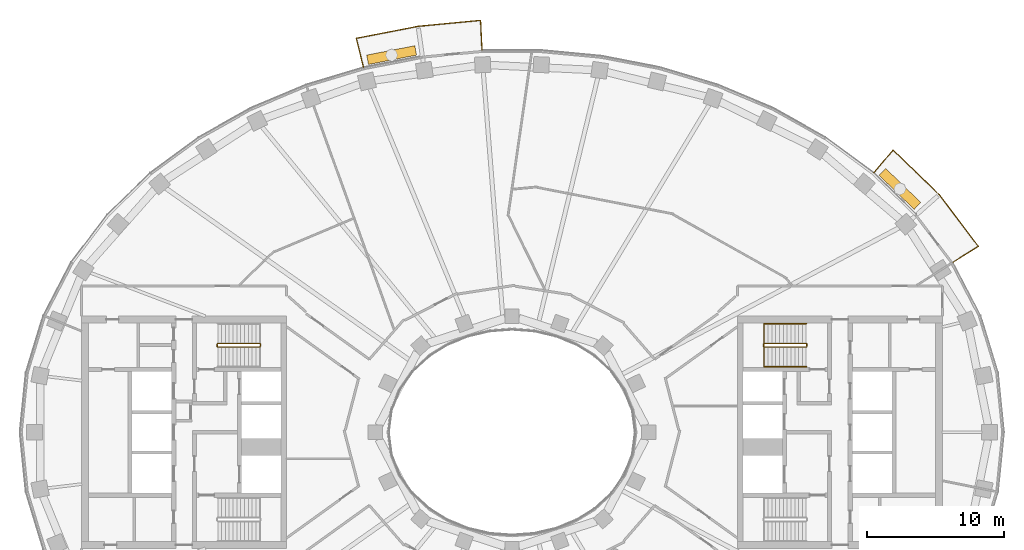
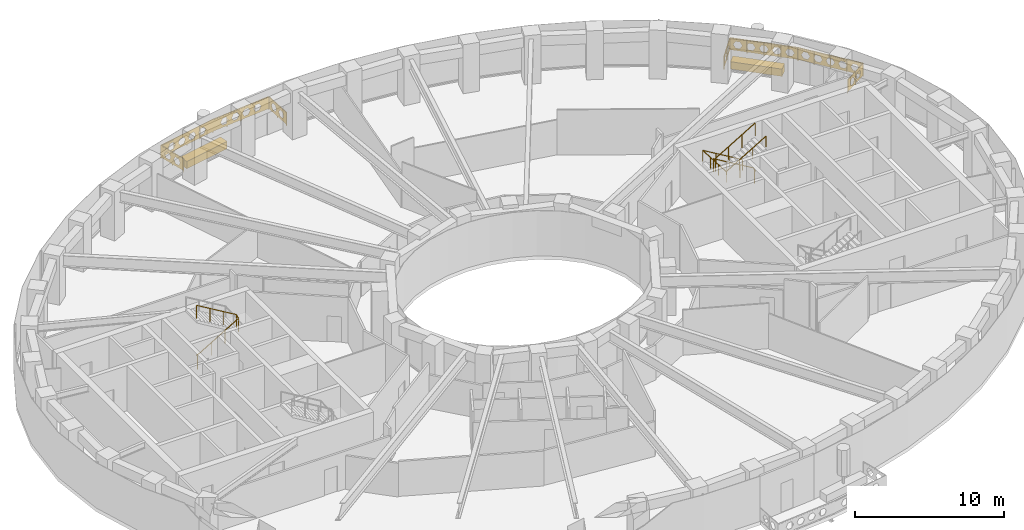
# One storey, part 15 of 16: 5 railings, 2 coverings.
"""IFC4 building model written with IfcOpenShell, lengths in metres."""

from ifc_helpers import new_model, si_unit, direction, frame, origin, origin_2d, place, context, subcontext, project, spatial, polyline, rectangle, outline, extrude, material, type_object, element, save


model = new_model("IFC4")

# Units and contexts
model_context = context("Model", 3, precision=1e-05, world=origin(), true_north=direction((0.0, 1.0)))
body_context = subcontext(model_context, "Body", "Model", "MODEL_VIEW")
ifc_project = project(units=[si_unit("LENGTHUNIT", "METRE"), si_unit("AREAUNIT", "SQUARE_METRE"), si_unit("VOLUMEUNIT", "CUBIC_METRE"), si_unit("PLANEANGLEUNIT", "RADIAN"), si_unit("MASSUNIT", "GRAM", prefix="KILO")], contexts=[model_context])

# Site, building, storey
site_placement = place(None, origin())
site = spatial("IfcSite", under=ifc_project, at=site_placement, CompositionType="ELEMENT")
building_placement = place(site_placement, origin())
building = spatial("IfcBuilding", under=site, at=building_placement, Name="Noorbagh Ring Tower", CompositionType="ELEMENT")
storey_placement = place(building_placement, frame((0.0, 0.0, 174.0)))
storey = spatial("IfcBuildingStorey", under=building, at=storey_placement, Name="L40", CompositionType="ELEMENT", Elevation=174.0)

# Railings
ifc_material_1 = material(Name="Stainless steel", Category="steel")
railing_type_1 = type_object("IfcRailingType", Name="CORE-STAIR-GUARD", PredefinedType="GUARDRAIL", material=ifc_material_1)
railing_1_placement = place(storey_placement, frame((-21.580078125, 6.300048828125, 0.0)))
element("IfcRailing", 1, at=railing_1_placement, inside=storey, type_object=railing_type_1, Name="L40 ST1 stair guard", PredefinedType="GUARDRAIL", context=body_context, shape_type="SweptSolid", body=[
    extrude(rectangle(XDim=0.048095703125, YDim=0.048095703125, at=origin_2d()), frame((0.0, 0.0, 1.076171875), z_axis=(0.0, 1.0, 0.0), x_axis=(-1.0, 0.0, 0.0)), (0.0, 0.0, 1.0), 0.14990234375),
    extrude(rectangle(XDim=0.048095703125, YDim=0.048095703125, at=origin_2d()), frame((0.0, 0.14990234375, 1.076171875), z_axis=(0.188775798145, -0.754182335027, 0.628945707965), x_axis=(0.970072785993, 0.242814311512, 0.0)), (0.0, 0.0, 1.0), 0.26513671875),
    extrude(rectangle(XDim=0.048095703125, YDim=0.048095703125, at=origin_2d()), frame((0.050048828125, -0.050048828125, 1.24267578125), z_axis=(0.859308565015, 0.0, 0.511457515432), x_axis=(0.0, 1.0, 0.0)), (0.0, 0.0, 1.0), 3.58447265625),
    extrude(rectangle(XDim=0.048095703125, YDim=0.048095703125, at=origin_2d()), frame((3.130126953125, -0.050048828125, 3.076171875), z_axis=(0.707106781187, 0.707106781187, 0.0), x_axis=(-0.707106781187, 0.707106781187, 0.0)), (0.0, 0.0, 1.0), 0.07080078125),
    extrude(rectangle(XDim=0.048095703125, YDim=0.048095703125, at=origin_2d()), frame((3.18017578125, 0.0, 3.076171875), z_axis=(0.0, 1.0, 0.0), x_axis=(-1.0, 0.0, 0.0)), (0.0, 0.0, 1.0), 0.14990234375),
    extrude(rectangle(XDim=0.048095703125, YDim=0.048095703125, at=origin_2d()), frame((3.18017578125, 0.14990234375, 3.076171875), z_axis=(-0.27628659633, 0.27628659633, 0.920506074601), x_axis=(-0.707106781187, -0.707106781187, 0.0)), (0.0, 0.0, 1.0), 0.18115234375),
    extrude(rectangle(XDim=0.048095703125, YDim=0.048095703125, at=origin_2d()), frame((3.130126953125, 0.199951171875, 3.24267578125), z_axis=(-0.859308565015, 0.0, 0.511457515432), x_axis=(0.0, -1.0, 0.0)), (0.0, 0.0, 1.0), 3.58447265625),
    extrude(rectangle(XDim=0.0419921875, YDim=0.0419921875, at=origin_2d()), origin(), (0.0, 0.0, 1.0), 1.052001953125),
    extrude(rectangle(XDim=0.0419921875, YDim=0.0419921875, at=origin_2d()), frame((1.07666015625, -0.050048828125, 0.77783203125)), (0.0, 0.0, 1.0), 1.052001953125),
    extrude(rectangle(XDim=0.0419921875, YDim=0.0419921875, at=origin_2d()), frame((2.103515625, -0.050048828125, 1.388916015625)), (0.0, 0.0, 1.0), 1.052001953125),
    extrude(rectangle(XDim=0.0419921875, YDim=0.0419921875, at=origin_2d()), frame((3.130126953125, -0.050048828125, 2.0)), (0.0, 0.0, 1.0), 1.052001953125),
    extrude(rectangle(XDim=0.0419921875, YDim=0.0419921875, at=origin_2d()), frame((3.130126953125, 0.199951171875, 2.166748046875)), (0.0, 0.0, 1.0), 1.052001953125),
    extrude(rectangle(XDim=0.0419921875, YDim=0.0419921875, at=origin_2d()), frame((2.103515625, 0.199951171875, 2.77783203125)), (0.0, 0.0, 1.0), 1.052001953125),
    extrude(rectangle(XDim=0.0419921875, YDim=0.0419921875, at=origin_2d()), frame((1.07666015625, 0.199951171875, 3.388916015625)), (0.0, 0.0, 1.0), 1.052001953125),
    extrude(rectangle(XDim=0.0419921875, YDim=0.0419921875, at=origin_2d()), frame((0.050048828125, 0.199951171875, 4.0)), (0.0, 0.0, 1.0), 1.052001953125),
])
railing_2_placement = place(storey_placement, frame((21.580078125, 6.449951171875, 0.0)))
element("IfcRailing", 2, at=railing_2_placement, inside=storey, type_object=railing_type_1, Name="L40 ST3 stair guard", PredefinedType="GUARDRAIL", context=body_context, shape_type="SweptSolid", body=[
    extrude(rectangle(XDim=0.048095703125, YDim=0.048095703125, at=origin_2d()), frame((0.0, 0.0, 1.076171875), z_axis=(0.0, -1.0, 0.0), x_axis=(1.0, 0.0, 0.0)), (0.0, 0.0, 1.0), 0.14990234375),
    extrude(rectangle(XDim=0.048095703125, YDim=0.048095703125, at=origin_2d()), frame((0.0, -0.14990234375, 1.076171875), z_axis=(-0.188775798145, 0.754182335027, 0.628945707965), x_axis=(-0.970072785993, -0.242814311512, 0.0)), (0.0, 0.0, 1.0), 0.26513671875),
    extrude(rectangle(XDim=0.048095703125, YDim=0.048095703125, at=origin_2d()), frame((-0.050048828125, 0.050048828125, 1.24267578125), z_axis=(-0.859308565015, 0.0, 0.511457515432), x_axis=(0.0, -1.0, 0.0)), (0.0, 0.0, 1.0), 3.58447265625),
    extrude(rectangle(XDim=0.048095703125, YDim=0.048095703125, at=origin_2d()), frame((-3.130126953125, 0.050048828125, 3.076171875), z_axis=(-0.707106781187, -0.707106781187, 0.0), x_axis=(0.707106781187, -0.707106781187, 0.0)), (0.0, 0.0, 1.0), 0.07080078125),
    extrude(rectangle(XDim=0.048095703125, YDim=0.048095703125, at=origin_2d()), frame((-3.18017578125, 0.0, 3.076171875), z_axis=(0.0, -1.0, 0.0), x_axis=(1.0, 0.0, 0.0)), (0.0, 0.0, 1.0), 0.14990234375),
    extrude(rectangle(XDim=0.048095703125, YDim=0.048095703125, at=origin_2d()), frame((-3.18017578125, -0.14990234375, 3.076171875), z_axis=(0.27628659633, -0.27628659633, 0.920506074601), x_axis=(0.707106781187, 0.707106781187, 0.0)), (0.0, 0.0, 1.0), 0.18115234375),
    extrude(rectangle(XDim=0.048095703125, YDim=0.048095703125, at=origin_2d()), frame((-3.130126953125, -0.199951171875, 3.24267578125), z_axis=(0.859308565015, 0.0, 0.511457515432), x_axis=(0.0, 1.0, 0.0)), (0.0, 0.0, 1.0), 3.58447265625),
    extrude(rectangle(XDim=0.0419921875, YDim=0.0419921875, at=origin_2d()), origin(), (0.0, 0.0, 1.0), 1.052001953125),
    extrude(rectangle(XDim=0.0419921875, YDim=0.0419921875, at=origin_2d()), frame((-1.07666015625, 0.050048828125, 0.77783203125)), (0.0, 0.0, 1.0), 1.052001953125),
    extrude(rectangle(XDim=0.0419921875, YDim=0.0419921875, at=origin_2d()), frame((-2.103515625, 0.050048828125, 1.388916015625)), (0.0, 0.0, 1.0), 1.052001953125),
    extrude(rectangle(XDim=0.0419921875, YDim=0.0419921875, at=origin_2d()), frame((-3.130126953125, 0.050048828125, 2.0)), (0.0, 0.0, 1.0), 1.052001953125),
    extrude(rectangle(XDim=0.0419921875, YDim=0.0419921875, at=origin_2d()), frame((-3.130126953125, -0.199951171875, 2.166748046875)), (0.0, 0.0, 1.0), 1.052001953125),
    extrude(rectangle(XDim=0.0419921875, YDim=0.0419921875, at=origin_2d()), frame((-2.103515625, -0.199951171875, 2.77783203125)), (0.0, 0.0, 1.0), 1.052001953125),
    extrude(rectangle(XDim=0.0419921875, YDim=0.0419921875, at=origin_2d()), frame((-1.07666015625, -0.199951171875, 3.388916015625)), (0.0, 0.0, 1.0), 1.052001953125),
    extrude(rectangle(XDim=0.0419921875, YDim=0.0419921875, at=origin_2d()), frame((-0.050048828125, -0.199951171875, 4.0)), (0.0, 0.0, 1.0), 1.052001953125),
])
ifc_material_2 = material(Name="Stainless steel", Category="steel")
railing_type_2 = type_object("IfcRailingType", Name="CORE-STAIR-HANDRAIL", PredefinedType="HANDRAIL", material=ifc_material_2)
railing_3_placement = place(storey_placement, frame((21.530029296875, 7.949951171875, 0.166748046875)))
element("IfcRailing", 3, at=railing_3_placement, inside=storey, type_object=railing_type_2, Name="L40 ST3 stair handrail", PredefinedType="HANDRAIL", context=body_context, shape_type="SweptSolid", body=[
    extrude(rectangle(XDim=0.048095703125, YDim=0.048095703125, at=origin_2d()), frame((0.0, 0.0, 0.8759765625), z_axis=(-0.859308565015, 0.0, 0.511457515432), x_axis=(0.0, -1.0, 0.0)), (0.0, 0.0, 1.0), 3.58447265625),
    extrude(rectangle(XDim=0.048095703125, YDim=0.048095703125, at=origin_2d()), frame((-3.080078125, 0.0, 2.708984375), z_axis=(0.0, -0.998601747152, 0.052863509014), x_axis=(1.0, 0.0, 0.0)), (0.0, 0.0, 1.0), 3.154296875),
    extrude(rectangle(XDim=0.048095703125, YDim=0.048095703125, at=origin_2d()), frame((-3.080078125, -3.14990234375, 2.8759765625), z_axis=(0.859308565015, 0.0, 0.511457515432), x_axis=(0.0, 1.0, 0.0)), (0.0, 0.0, 1.0), 3.58447265625),
    extrude(rectangle(XDim=0.0419921875, YDim=0.0419921875, at=origin_2d()), origin(), (0.0, 0.0, 1.0), 0.851806640625),
    extrude(rectangle(XDim=0.0419921875, YDim=0.0419921875, at=origin_2d()), frame((-1.026611328125, 0.0, 0.611083984375)), (0.0, 0.0, 1.0), 0.851806640625),
    extrude(rectangle(XDim=0.0419921875, YDim=0.0419921875, at=origin_2d()), frame((-2.053466796875, 0.0, 1.22216796875)), (0.0, 0.0, 1.0), 0.851806640625),
    extrude(rectangle(XDim=0.0419921875, YDim=0.0419921875, at=origin_2d()), frame((-3.080078125, 0.0, 1.833251953125)), (0.0, 0.0, 1.0), 0.851806640625),
    extrude(rectangle(XDim=0.0419921875, YDim=0.0419921875, at=origin_2d()), frame((-3.080078125, -1.050048828125, 1.888916015625)), (0.0, 0.0, 1.0), 0.851806640625),
    extrude(rectangle(XDim=0.0419921875, YDim=0.0419921875, at=origin_2d()), frame((-3.080078125, -2.099853515625, 1.9443359375)), (0.0, 0.0, 1.0), 0.851806640625),
    extrude(rectangle(XDim=0.0419921875, YDim=0.0419921875, at=origin_2d()), frame((-3.080078125, -3.14990234375, 2.0)), (0.0, 0.0, 1.0), 0.851806640625),
    extrude(rectangle(XDim=0.0419921875, YDim=0.0419921875, at=origin_2d()), frame((-2.053466796875, -3.14990234375, 2.611083984375)), (0.0, 0.0, 1.0), 0.851806640625),
    extrude(rectangle(XDim=0.0419921875, YDim=0.0419921875, at=origin_2d()), frame((-1.026611328125, -3.14990234375, 3.22216796875)), (0.0, 0.0, 1.0), 0.851806640625),
    extrude(rectangle(XDim=0.0419921875, YDim=0.0419921875, at=origin_2d()), frame((0.0, -3.14990234375, 3.833251953125)), (0.0, 0.0, 1.0), 0.851806640625),
])
ifc_material_3 = material(Name="Steel S275 black powder-coated", Category="steel")
railing_type_3 = type_object("IfcRailingType", Name="ENV-GUARD", PredefinedType="GUARDRAIL", material=ifc_material_3)
railing_4_placement = place(storey_placement, frame((32.255126953125, 12.434814453125, 0.0)))
element("IfcRailing", 4, at=railing_4_placement, inside=storey, type_object=railing_type_3, Name="Balcony guard BN01", PredefinedType="GUARDRAIL", context=body_context, shape_type="SweptSolid", body=[
    extrude(rectangle(XDim=0.048095703125, YDim=0.048095703125, at=origin_2d()), frame((0.0, 0.0, 1.076171875), z_axis=(0.844852397829, 0.534999463442, 0.0), x_axis=(-0.534999463442, 0.844852397829, 0.0)), (0.0, 0.0, 1.0), 2.207763671875),
    extrude(rectangle(XDim=0.048095703125, YDim=0.048095703125, at=origin_2d()), frame((1.865234375, 1.18115234375, 1.076171875), z_axis=(-0.604001613322, 0.796983093362, 0.0), x_axis=(-0.796983093362, -0.604001613322, 0.0)), (0.0, 0.0, 1.0), 4.7353515625),
    extrude(rectangle(XDim=0.048095703125, YDim=0.048095703125, at=origin_2d()), frame((-0.994873046875, 4.955078125, 1.076171875), z_axis=(-0.717212632946, 0.696854388766, 0.0), x_axis=(-0.696854388766, -0.717212632946, 0.0)), (0.0, 0.0, 1.0), 4.700927734375),
    extrude(rectangle(XDim=0.048095703125, YDim=0.048095703125, at=origin_2d()), frame((-4.366455078125, 8.23095703125, 1.076171875), z_axis=(-0.646413574048, -0.762987215677, 0.0), x_axis=(0.762987215677, -0.646413574048, 0.0)), (0.0, 0.0, 1.0), 2.205322265625),
    extrude(rectangle(XDim=0.0419921875, YDim=0.0419921875, at=origin_2d()), origin(), (0.0, 0.0, 1.0), 1.052001953125),
    extrude(rectangle(XDim=0.0419921875, YDim=0.0419921875, at=origin_2d()), frame((0.9326171875, 0.590576171875, 0.0)), (0.0, 0.0, 1.0), 1.052001953125),
    extrude(rectangle(XDim=0.0419921875, YDim=0.0419921875, at=origin_2d()), frame((1.865234375, 1.18115234375, 0.0)), (0.0, 0.0, 1.0), 1.052001953125),
    extrude(rectangle(XDim=0.0419921875, YDim=0.0419921875, at=origin_2d()), frame((1.150146484375, 2.12451171875, 0.0)), (0.0, 0.0, 1.0), 1.052001953125),
    extrude(rectangle(XDim=0.0419921875, YDim=0.0419921875, at=origin_2d()), frame((0.43505859375, 3.068115234375, 0.0)), (0.0, 0.0, 1.0), 1.052001953125),
    extrude(rectangle(XDim=0.0419921875, YDim=0.0419921875, at=origin_2d()), frame((-0.27978515625, 4.01171875, 0.0)), (0.0, 0.0, 1.0), 1.052001953125),
    extrude(rectangle(XDim=0.0419921875, YDim=0.0419921875, at=origin_2d()), frame((-0.994873046875, 4.955078125, 0.0)), (0.0, 0.0, 1.0), 1.052001953125),
    extrude(rectangle(XDim=0.0419921875, YDim=0.0419921875, at=origin_2d()), frame((-1.837890625, 5.77392578125, 0.0)), (0.0, 0.0, 1.0), 1.052001953125),
    extrude(rectangle(XDim=0.0419921875, YDim=0.0419921875, at=origin_2d()), frame((-2.6806640625, 6.593017578125, 0.0)), (0.0, 0.0, 1.0), 1.052001953125),
    extrude(rectangle(XDim=0.0419921875, YDim=0.0419921875, at=origin_2d()), frame((-3.5234375, 7.412109375, 0.0)), (0.0, 0.0, 1.0), 1.052001953125),
    extrude(rectangle(XDim=0.0419921875, YDim=0.0419921875, at=origin_2d()), frame((-4.366455078125, 8.23095703125, 0.0)), (0.0, 0.0, 1.0), 1.052001953125),
    extrude(rectangle(XDim=0.0419921875, YDim=0.0419921875, at=origin_2d()), frame((-5.0791015625, 7.3896484375, 0.0)), (0.0, 0.0, 1.0), 1.052001953125),
    extrude(rectangle(XDim=0.0419921875, YDim=0.0419921875, at=origin_2d()), frame((-5.7919921875, 6.54833984375, 0.0)), (0.0, 0.0, 1.0), 1.052001953125),
    extrude(outline(polyline([(0.0, 0.10009765625), (2.207763671875, 0.10009765625), (2.207763671875, 1.031982421875), (0.0, 1.031982421875), (0.0, 0.10009765625)]), holes=[polyline([(0.9638671875, 0.56591796875), (0.808837890625, 0.83447265625), (0.498779296875, 0.83447265625), (0.343994140625, 0.56591796875), (0.498779296875, 0.297607421875), (0.808837890625, 0.297607421875), (0.9638671875, 0.56591796875)]), polyline([(1.86376953125, 0.56591796875), (1.708984375, 0.83447265625), (1.39892578125, 0.83447265625), (1.243896484375, 0.56591796875), (1.39892578125, 0.297607421875), (1.708984375, 0.297607421875), (1.86376953125, 0.56591796875)])]), frame((-0.00537109375, 0.008544921875, 0.0), z_axis=(0.534999463442, -0.844852397829, 0.0), x_axis=(0.844852397829, 0.534999463442, 0.0)), (0.0, 0.0, 1.0), 0.02001953125),
    extrude(outline(polyline([(0.0, 0.10009765625), (4.7353515625, 0.10009765625), (4.7353515625, 1.031982421875), (0.0, 1.031982421875), (0.0, 0.10009765625)]), holes=[polyline([(0.877685546875, 0.56591796875), (0.72265625, 0.83447265625), (0.41259765625, 0.83447265625), (0.257568359375, 0.56591796875), (0.41259765625, 0.297607421875), (0.72265625, 0.297607421875), (0.877685546875, 0.56591796875)]), polyline([(1.777587890625, 0.56591796875), (1.62255859375, 0.83447265625), (1.312744140625, 0.83447265625), (1.15771484375, 0.56591796875), (1.312744140625, 0.297607421875), (1.62255859375, 0.297607421875), (1.777587890625, 0.56591796875)]), polyline([(2.677734375, 0.56591796875), (2.522705078125, 0.83447265625), (2.212646484375, 0.83447265625), (2.0576171875, 0.56591796875), (2.212646484375, 0.297607421875), (2.522705078125, 0.297607421875), (2.677734375, 0.56591796875)]), polyline([(3.57763671875, 0.56591796875), (3.422607421875, 0.83447265625), (3.112548828125, 0.83447265625), (2.95751953125, 0.56591796875), (3.112548828125, 0.297607421875), (3.422607421875, 0.297607421875), (3.57763671875, 0.56591796875)]), polyline([(4.4775390625, 0.56591796875), (4.32275390625, 0.83447265625), (4.0126953125, 0.83447265625), (3.857666015625, 0.56591796875), (4.0126953125, 0.297607421875), (4.32275390625, 0.297607421875), (4.4775390625, 0.56591796875)])]), frame((1.857177734375, 1.175048828125, 0.0), z_axis=(0.796983093362, 0.604001613322, 0.0), x_axis=(-0.604001613322, 0.796983093362, 0.0)), (0.0, 0.0, 1.0), 0.02001953125),
    extrude(outline(polyline([(0.0, 0.10009765625), (4.700927734375, 0.10009765625), (4.700927734375, 1.031982421875), (0.0, 1.031982421875), (0.0, 0.10009765625)]), holes=[polyline([(0.860595703125, 0.56591796875), (0.70556640625, 0.83447265625), (0.3955078125, 0.83447265625), (0.240478515625, 0.56591796875), (0.3955078125, 0.297607421875), (0.70556640625, 0.297607421875), (0.860595703125, 0.56591796875)]), polyline([(1.760498046875, 0.56591796875), (1.60546875, 0.83447265625), (1.29541015625, 0.83447265625), (1.140380859375, 0.56591796875), (1.29541015625, 0.297607421875), (1.60546875, 0.297607421875), (1.760498046875, 0.56591796875)]), polyline([(2.660400390625, 0.56591796875), (2.50537109375, 0.83447265625), (2.195556640625, 0.83447265625), (2.04052734375, 0.56591796875), (2.195556640625, 0.297607421875), (2.50537109375, 0.297607421875), (2.660400390625, 0.56591796875)]), polyline([(3.560546875, 0.56591796875), (3.405517578125, 0.83447265625), (3.095458984375, 0.83447265625), (2.9404296875, 0.56591796875), (3.095458984375, 0.297607421875), (3.405517578125, 0.297607421875), (3.560546875, 0.56591796875)]), polyline([(4.46044921875, 0.56591796875), (4.305419921875, 0.83447265625), (3.995361328125, 0.83447265625), (3.840576171875, 0.56591796875), (3.995361328125, 0.297607421875), (4.305419921875, 0.297607421875), (4.46044921875, 0.56591796875)])]), frame((-1.001953125, 4.947998046875, 0.0), z_axis=(0.696854388766, 0.717212632946, 0.0), x_axis=(-0.717212632946, 0.696854388766, 0.0)), (0.0, 0.0, 1.0), 0.02001953125),
    extrude(outline(polyline([(0.0, 0.10009765625), (2.205322265625, 0.10009765625), (2.205322265625, 1.031982421875), (0.0, 1.031982421875), (0.0, 0.10009765625)]), holes=[polyline([(0.962646484375, 0.56591796875), (0.8076171875, 0.83447265625), (0.49755859375, 0.83447265625), (0.342529296875, 0.56591796875), (0.49755859375, 0.297607421875), (0.8076171875, 0.297607421875), (0.962646484375, 0.56591796875)]), polyline([(1.862548828125, 0.56591796875), (1.707763671875, 0.83447265625), (1.397705078125, 0.83447265625), (1.24267578125, 0.56591796875), (1.397705078125, 0.297607421875), (1.707763671875, 0.297607421875), (1.862548828125, 0.56591796875)])]), frame((-4.35888671875, 8.224609375, 0.0), z_axis=(-0.762987215677, 0.646413574048, 0.0), x_axis=(-0.646413574048, -0.762987215677, 0.0)), (0.0, 0.0, 1.0), 0.02001953125),
])
railing_5_placement = place(storey_placement, frame((-2.193115234375, 27.947998046875, 0.0)))
element("IfcRailing", 5, at=railing_5_placement, inside=storey, type_object=railing_type_3, Name="Balcony guard BN04", PredefinedType="GUARDRAIL", context=body_context, shape_type="SweptSolid", body=[
    extrude(rectangle(XDim=0.048095703125, YDim=0.048095703125, at=origin_2d()), frame((0.0, 0.0, 1.076171875), z_axis=(-0.047554616162, 0.998868639252, 0.0), x_axis=(-0.998868639252, -0.047554616162, 0.0)), (0.0, 0.0, 1.0), 2.202392578125),
    extrude(rectangle(XDim=0.048095703125, YDim=0.048095703125, at=origin_2d()), frame((-0.104736328125, 2.199951171875, 1.076171875), z_axis=(-0.995477555764, -0.094997031379, 0.0), x_axis=(0.094997031379, -0.995477555764, 0.0)), (0.0, 0.0, 1.0), 4.59765625),
    extrude(rectangle(XDim=0.048095703125, YDim=0.048095703125, at=origin_2d()), frame((-4.681640625, 1.76318359375, 1.076171875), z_axis=(-0.981625049064, -0.1908199755, 0.0), x_axis=(0.1908199755, -0.981625049064, 0.0)), (0.0, 0.0, 1.0), 4.603271484375),
    extrude(rectangle(XDim=0.048095703125, YDim=0.048095703125, at=origin_2d()), frame((-9.200439453125, 0.884765625, 1.076171875), z_axis=(0.239848558412, -0.970810315679, 0.0), x_axis=(0.970810315679, 0.239848558412, 0.0)), (0.0, 0.0, 1.0), 2.20263671875),
    extrude(rectangle(XDim=0.0419921875, YDim=0.0419921875, at=origin_2d()), origin(), (0.0, 0.0, 1.0), 1.052001953125),
    extrude(rectangle(XDim=0.0419921875, YDim=0.0419921875, at=origin_2d()), frame((-0.05224609375, 1.10009765625, 0.0)), (0.0, 0.0, 1.0), 1.052001953125),
    extrude(rectangle(XDim=0.0419921875, YDim=0.0419921875, at=origin_2d()), frame((-0.104736328125, 2.199951171875, 0.0)), (0.0, 0.0, 1.0), 1.052001953125),
    extrude(rectangle(XDim=0.0419921875, YDim=0.0419921875, at=origin_2d()), frame((-1.2490234375, 2.0908203125, 0.0)), (0.0, 0.0, 1.0), 1.052001953125),
    extrude(rectangle(XDim=0.0419921875, YDim=0.0419921875, at=origin_2d()), frame((-2.39306640625, 1.9814453125, 0.0)), (0.0, 0.0, 1.0), 1.052001953125),
    extrude(rectangle(XDim=0.0419921875, YDim=0.0419921875, at=origin_2d()), frame((-3.537353515625, 1.872314453125, 0.0)), (0.0, 0.0, 1.0), 1.052001953125),
    extrude(rectangle(XDim=0.0419921875, YDim=0.0419921875, at=origin_2d()), frame((-4.681640625, 1.76318359375, 0.0)), (0.0, 0.0, 1.0), 1.052001953125),
    extrude(rectangle(XDim=0.0419921875, YDim=0.0419921875, at=origin_2d()), frame((-5.811279296875, 1.54345703125, 0.0)), (0.0, 0.0, 1.0), 1.052001953125),
    extrude(rectangle(XDim=0.0419921875, YDim=0.0419921875, at=origin_2d()), frame((-6.94091796875, 1.323974609375, 0.0)), (0.0, 0.0, 1.0), 1.052001953125),
    extrude(rectangle(XDim=0.0419921875, YDim=0.0419921875, at=origin_2d()), frame((-8.07080078125, 1.1044921875, 0.0)), (0.0, 0.0, 1.0), 1.052001953125),
    extrude(rectangle(XDim=0.0419921875, YDim=0.0419921875, at=origin_2d()), frame((-9.200439453125, 0.884765625, 0.0)), (0.0, 0.0, 1.0), 1.052001953125),
    extrude(rectangle(XDim=0.0419921875, YDim=0.0419921875, at=origin_2d()), frame((-8.936279296875, -0.1845703125, 0.0)), (0.0, 0.0, 1.0), 1.052001953125),
    extrude(rectangle(XDim=0.0419921875, YDim=0.0419921875, at=origin_2d()), frame((-8.672119140625, -1.253662109375, 0.0)), (0.0, 0.0, 1.0), 1.052001953125),
    extrude(outline(polyline([(0.0, 0.10009765625), (2.202392578125, 0.10009765625), (2.202392578125, 1.031982421875), (0.0, 1.031982421875), (0.0, 0.10009765625)]), holes=[polyline([(0.961181640625, 0.56591796875), (0.80615234375, 0.83447265625), (0.496337890625, 0.83447265625), (0.34130859375, 0.56591796875), (0.496337890625, 0.297607421875), (0.80615234375, 0.297607421875), (0.961181640625, 0.56591796875)]), polyline([(1.861328125, 0.56591796875), (1.706298828125, 0.83447265625), (1.396240234375, 0.83447265625), (1.2412109375, 0.56591796875), (1.396240234375, 0.297607421875), (1.706298828125, 0.297607421875), (1.861328125, 0.56591796875)])]), frame((-0.010009765625, -0.00048828125, 0.0), z_axis=(0.998868639252, 0.047554616162, 0.0), x_axis=(-0.047554616162, 0.998868639252, 0.0)), (0.0, 0.0, 1.0), 0.02001953125),
    extrude(outline(polyline([(0.0, 0.10009765625), (4.59765625, 0.10009765625), (4.59765625, 1.031982421875), (0.0, 1.031982421875), (0.0, 0.10009765625)]), holes=[polyline([(1.2587890625, 0.56591796875), (1.103759765625, 0.83447265625), (0.7939453125, 0.83447265625), (0.638916015625, 0.56591796875), (0.7939453125, 0.297607421875), (1.103759765625, 0.297607421875), (1.2587890625, 0.56591796875)]), polyline([(2.158935546875, 0.56591796875), (2.00390625, 0.83447265625), (1.69384765625, 0.83447265625), (1.538818359375, 0.56591796875), (1.69384765625, 0.297607421875), (2.00390625, 0.297607421875), (2.158935546875, 0.56591796875)]), polyline([(3.058837890625, 0.56591796875), (2.90380859375, 0.83447265625), (2.59375, 0.83447265625), (2.43896484375, 0.56591796875), (2.59375, 0.297607421875), (2.90380859375, 0.297607421875), (3.058837890625, 0.56591796875)]), polyline([(3.958740234375, 0.56591796875), (3.803955078125, 0.83447265625), (3.493896484375, 0.83447265625), (3.3388671875, 0.56591796875), (3.493896484375, 0.297607421875), (3.803955078125, 0.297607421875), (3.958740234375, 0.56591796875)])]), frame((-0.103759765625, 2.18994140625, 0.0), z_axis=(-0.094997031379, 0.995477555764, 0.0), x_axis=(-0.995477555764, -0.094997031379, 0.0)), (0.0, 0.0, 1.0), 0.02001953125),
    extrude(outline(polyline([(0.0, 0.10009765625), (4.603271484375, 0.10009765625), (4.603271484375, 1.031982421875), (0.0, 1.031982421875), (0.0, 0.10009765625)]), holes=[polyline([(1.26171875, 0.56591796875), (1.106689453125, 0.83447265625), (0.796630859375, 0.83447265625), (0.6416015625, 0.56591796875), (0.796630859375, 0.297607421875), (1.106689453125, 0.297607421875), (1.26171875, 0.56591796875)]), polyline([(2.16162109375, 0.56591796875), (2.006591796875, 0.83447265625), (1.69677734375, 0.83447265625), (1.541748046875, 0.56591796875), (1.69677734375, 0.297607421875), (2.006591796875, 0.297607421875), (2.16162109375, 0.56591796875)]), polyline([(3.061767578125, 0.56591796875), (2.90673828125, 0.83447265625), (2.5966796875, 0.83447265625), (2.441650390625, 0.56591796875), (2.5966796875, 0.297607421875), (2.90673828125, 0.297607421875), (3.061767578125, 0.56591796875)]), polyline([(3.961669921875, 0.56591796875), (3.806640625, 0.83447265625), (3.49658203125, 0.83447265625), (3.341796875, 0.56591796875), (3.49658203125, 0.297607421875), (3.806640625, 0.297607421875), (3.961669921875, 0.56591796875)])]), frame((-4.6796875, 1.75341796875, 0.0), z_axis=(-0.1908199755, 0.981625049064, 0.0), x_axis=(-0.981625049064, -0.1908199755, 0.0)), (0.0, 0.0, 1.0), 0.02001953125),
    extrude(outline(polyline([(0.0, 0.10009765625), (2.20263671875, 0.10009765625), (2.20263671875, 1.031982421875), (0.0, 1.031982421875), (0.0, 0.10009765625)]), holes=[polyline([(0.96142578125, 0.56591796875), (0.806396484375, 0.83447265625), (0.496337890625, 0.83447265625), (0.34130859375, 0.56591796875), (0.496337890625, 0.297607421875), (0.806396484375, 0.297607421875), (0.96142578125, 0.56591796875)]), polyline([(1.861328125, 0.56591796875), (1.706298828125, 0.83447265625), (1.396240234375, 0.83447265625), (1.241455078125, 0.56591796875), (1.396240234375, 0.297607421875), (1.706298828125, 0.297607421875), (1.861328125, 0.56591796875)])]), frame((-9.190673828125, 0.88720703125, 0.0), z_axis=(-0.970810315679, -0.239848558412, 0.0), x_axis=(0.239848558412, -0.970810315679, 0.0)), (0.0, 0.0, 1.0), 0.02001953125),
])

# Coverings
ifc_material_4 = material(Name="Concrete C30/37 planter with soil", Category="concrete")
covering_type = type_object("IfcCoveringType", Name="ENV-PLANTER", PredefinedType="CLADDING", material=ifc_material_4)
covering_1_placement = place(storey_placement, frame((28.3837890625, 17.814208984375, 0.0), z_axis=(0.0, 0.0, 1.0), x_axis=(-0.717224548362, 0.696842125038, 0.0)))
element("IfcCovering", 6, at=covering_1_placement, inside=storey, type_object=covering_type, Name="PLANTER BN01", ObjectType="PLANTER", PredefinedType="CLADDING", context=body_context, shape_type="SweptSolid", body=[
    extrude(rectangle(XDim=3.584228515625, YDim=0.699951171875, at=origin_2d()), origin(), (0.0, 0.0, 1.0), 0.60009765625),
])
covering_2_placement = place(storey_placement, frame((-8.807861328125, 27.603515625, 0.0), z_axis=(0.0, 0.0, 1.0), x_axis=(-0.981624952922, -0.190820470077, 0.0)))
element("IfcCovering", 7, at=covering_2_placement, inside=storey, type_object=covering_type, Name="PLANTER BN04", ObjectType="PLANTER", PredefinedType="CLADDING", context=body_context, shape_type="SweptSolid", body=[
    extrude(rectangle(XDim=3.586181640625, YDim=0.699951171875, at=origin_2d()), origin(), (0.0, 0.0, 1.0), 0.60009765625),
])

save(model, "model.ifc")
